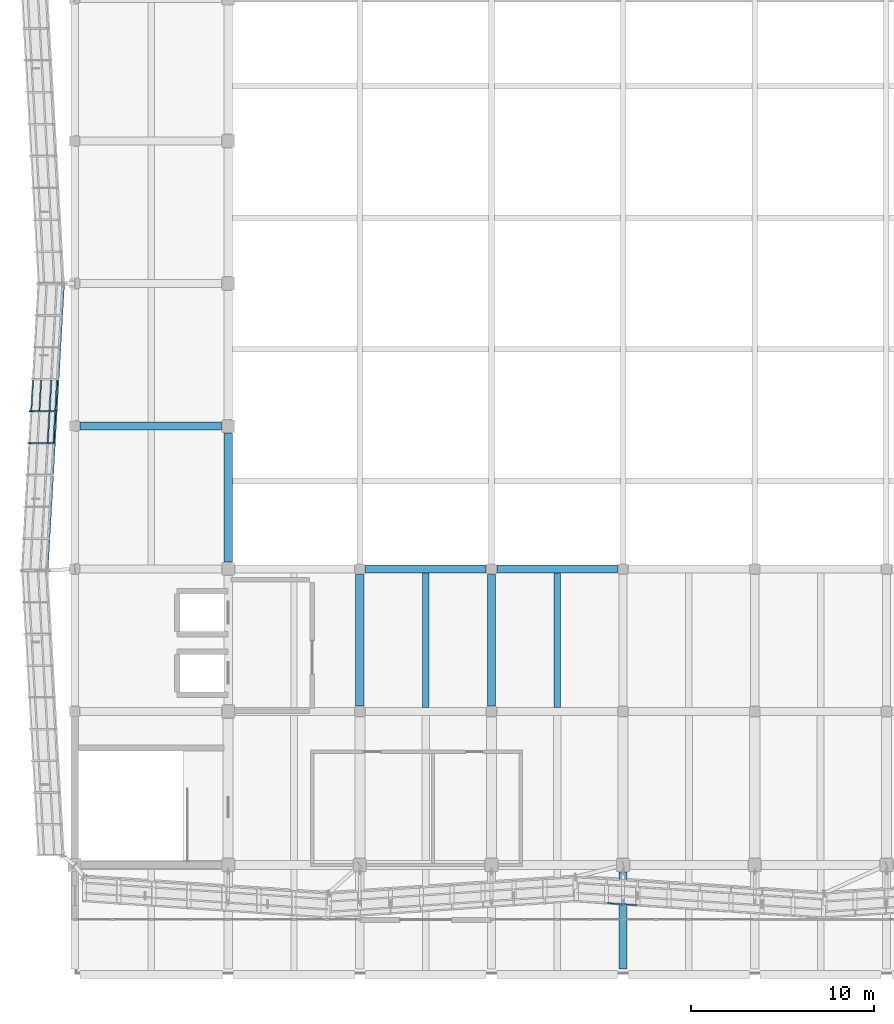
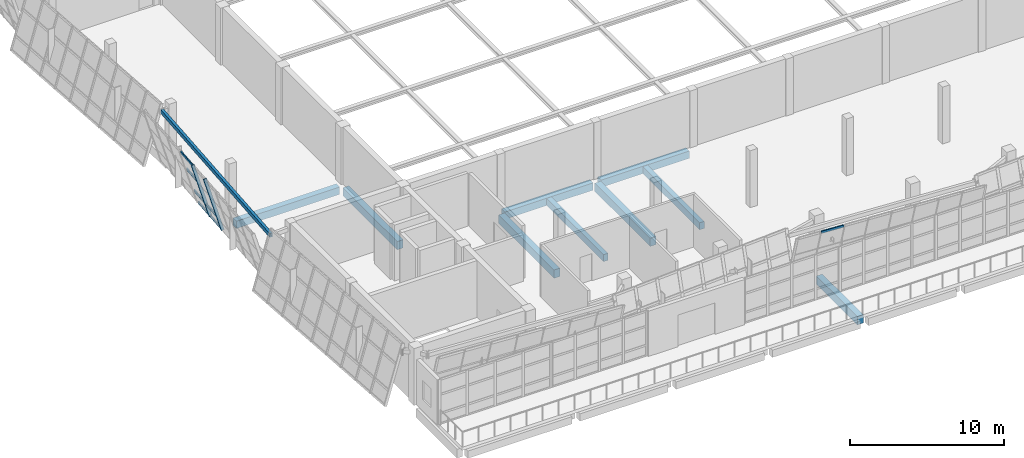
# One storey, part 8 of 67: 10 beams, 9 members, 2 elements without a shape of their own.
"""IFC4 building model written with IfcOpenShell, lengths in metres."""

from ifc_helpers import new_model, si_unit, direction, frame, origin, origin_2d, place, context, subcontext, project, spatial, rectangle, hollow_rectangle, extrude, material, material_profile, profile_set, type_object, element, aggregate, save


model = new_model("IFC4")

# Units and contexts
model_context = context("Model", 3, precision=1e-05, world=origin(), true_north=direction((0.0, 1.0)))
body_context = subcontext(model_context, "Body", "Model", "MODEL_VIEW")
ifc_project = project(units=[si_unit("LENGTHUNIT", "METRE"), si_unit("AREAUNIT", "SQUARE_METRE"), si_unit("VOLUMEUNIT", "CUBIC_METRE"), si_unit("PLANEANGLEUNIT", "RADIAN"), si_unit("MASSUNIT", "GRAM", prefix="KILO")], contexts=[model_context])

# Site, building, storey
site_placement = place(None, origin())
site = spatial("IfcSite", under=ifc_project, at=site_placement, CompositionType="ELEMENT")
building_placement = place(site_placement, origin())
building = spatial("IfcBuilding", under=site, at=building_placement, Name="Pellamere Symphony Hall", CompositionType="ELEMENT")
storey_placement = place(building_placement, frame((0.0, 0.0, 19.5)))
storey = spatial("IfcBuildingStorey", under=building, at=storey_placement, Name="L04", CompositionType="ELEMENT", Elevation=19.5)

# Curtain wall, members
ifc_material_1 = material(Name="Thermally Broken Anodised Aluminium 6063-T6 Curtain Wall", Category="aluminium")
curtain_wall_type = type_object("IfcCurtainWallType", Name="Curtain Wall CW-01 (Tilted Faceted Crystal Low-Iron Curtain Wall)", PredefinedType="NOTDEFINED", material=ifc_material_1)
curtain_wall_1_placement = place(storey_placement, origin())
curtain_wall_1 = element("IfcCurtainWall", 1, at=curtain_wall_1_placement, inside=storey, type_object=curtain_wall_type, Name="Crystal Faceted Curtain Wall CW-CR17 (L04)", PredefinedType="NOTDEFINED")
ifc_material_2 = material(Name="Anodised Architectural Aluminium 6063-T6", Category="aluminium")
ifc_material_profile_1 = material_profile(ifc_material_2, hollow_rectangle(XDim=0.074951171875, YDim=0.219970703125, WallThickness=0.0048828125, at=origin_2d()), Name="ALU-M75X220X5")
ifc_profile_set_1 = profile_set([ifc_material_profile_1], Name="Anodised Architectural Aluminium 6063-T6")
member_type_1 = type_object("IfcMemberType", Name="Curtain Wall Mullion ML-01 ALU-M75X220X5", PredefinedType="MULLION", material=ifc_profile_set_1)
member_1_placement = place(storey_placement, frame((49.35009765625, 54.822265625, 0.0), z_axis=(-0.284024567884, 0.0, 0.95881700279), x_axis=(-0.054873944304, -0.99836096977, -0.016254976991)))
member_1 = element("IfcMember", 2, at=member_1_placement, type_object=member_type_1, Name="CW1-051 crystal mullion 5", PredefinedType="MULLION", context=body_context, shape_type="SweptSolid", body=[
    extrude(hollow_rectangle(XDim=0.074951171875, YDim=0.219970703125, WallThickness=0.0048828125, at=origin_2d()), origin(), (0.0, 0.0, 1.0), 4.693359375),
])
member_2_placement = place(storey_placement, frame((49.25, 53.077880859375, 0.0), z_axis=(-0.284024567884, 0.0, 0.95881700279), x_axis=(-0.054873944304, -0.99836096977, -0.016254976991)))
member_2 = element("IfcMember", 3, at=member_2_placement, type_object=member_type_1, Name="CW1-051 crystal mullion 6", PredefinedType="MULLION", context=body_context, shape_type="SweptSolid", body=[
    extrude(hollow_rectangle(XDim=0.074951171875, YDim=0.219970703125, WallThickness=0.0048828125, at=origin_2d()), origin(), (0.0, 0.0, 1.0), 4.693359375),
])

# Curtain wall, member
curtain_wall_2_placement = place(storey_placement, origin())
curtain_wall_2 = element("IfcCurtainWall", 4, at=curtain_wall_2_placement, inside=storey, type_object=curtain_wall_type, Name="Crystal Faceted Curtain Wall CW-CR03 (L04)", PredefinedType="NOTDEFINED")
ifc_material_profile_2 = material_profile(ifc_material_2, hollow_rectangle(XDim=0.074951171875, YDim=0.179931640625, WallThickness=0.0048828125, at=origin_2d()), Name="ALU-T75X180X5")
ifc_profile_set_2 = profile_set([ifc_material_profile_2], Name="Anodised Architectural Aluminium 6063-T6")
member_type_2 = type_object("IfcMemberType", Name="Curtain Wall Transom TR-01 ALU-T75X180X5", PredefinedType="USERDEFINED", material=ifc_profile_set_2)
member_3_placement = place(storey_placement, frame((79.537353515625, 27.91259765625, 4.464111328125), z_axis=(0.997822801026, -0.065951935174, 0.0), x_axis=(0.065951935174, 0.997822801026, 0.0)))
member_3 = element("IfcMember", 5, at=member_3_placement, type_object=member_type_2, Name="CW1-003 crystal transom 2.4", ObjectType="TRANSOM", PredefinedType="USERDEFINED", context=body_context, shape_type="SweptSolid", body=[
    extrude(hollow_rectangle(XDim=0.074951171875, YDim=0.179931640625, WallThickness=0.0048828125, at=origin_2d()), origin(), (0.0, 0.0, 1.0), 1.62890625),
])
aggregate(curtain_wall_2, [member_3])

# Member
member_4_placement = place(storey_placement, frame((49.437255859375, 56.529296875, 0.035888671875), z_axis=(-0.057224396245, -0.998361341637, 0.0), x_axis=(0.998361341637, -0.057224396245, 0.0)))
member_4 = element("IfcMember", 6, at=member_4_placement, type_object=member_type_2, Name="CW1-051 crystal transom 4.1", ObjectType="TRANSOM", PredefinedType="USERDEFINED", context=body_context, shape_type="SweptSolid", body=[
    extrude(hollow_rectangle(XDim=0.074951171875, YDim=0.179931640625, WallThickness=0.0048828125, at=origin_2d()), origin(), (0.0, 0.0, 1.0), 1.67236328125),
])

member_5_placement = place(storey_placement, frame((49.1279296875, 56.529296875, 1.080078125), z_axis=(-0.057224396245, -0.998361341637, 0.0), x_axis=(0.998361341637, -0.057224396245, 0.0)))
member_5 = element("IfcMember", 7, at=member_5_placement, type_object=member_type_2, Name="CW1-051 crystal transom 4.2", ObjectType="TRANSOM", PredefinedType="USERDEFINED", context=body_context, shape_type="SweptSolid", body=[
    extrude(hollow_rectangle(XDim=0.074951171875, YDim=0.179931640625, WallThickness=0.0048828125, at=origin_2d()), origin(), (0.0, 0.0, 1.0), 1.67236328125),
])

member_6_placement = place(storey_placement, frame((48.568115234375, 56.529296875, 2.969970703125), z_axis=(-0.057224396245, -0.998361341637, 0.0), x_axis=(0.998361341637, -0.057224396245, 0.0)))
member_6 = element("IfcMember", 8, at=member_6_placement, type_object=member_type_2, Name="CW1-051 crystal transom 4.3", ObjectType="TRANSOM", PredefinedType="USERDEFINED", context=body_context, shape_type="SweptSolid", body=[
    extrude(hollow_rectangle(XDim=0.074951171875, YDim=0.179931640625, WallThickness=0.0048828125, at=origin_2d()), origin(), (0.0, 0.0, 1.0), 1.67236328125),
])

member_7_placement = place(storey_placement, frame((48.12548828125, 56.529296875, 4.464111328125), z_axis=(-0.057224396245, -0.998361341637, 0.0), x_axis=(0.998361341637, -0.057224396245, 0.0)))
member_7 = element("IfcMember", 9, at=member_7_placement, type_object=member_type_2, Name="CW1-051 crystal transom 4.4", ObjectType="TRANSOM", PredefinedType="USERDEFINED", context=body_context, shape_type="SweptSolid", body=[
    extrude(hollow_rectangle(XDim=0.074951171875, YDim=0.179931640625, WallThickness=0.0048828125, at=origin_2d()), origin(), (0.0, 0.0, 1.0), 1.67236328125),
])

member_8_placement = place(storey_placement, frame((49.337158203125, 54.78466796875, 0.035888671875), z_axis=(-0.057232737422, -0.998360863499, 0.0), x_axis=(0.998360863499, -0.057232737422, 0.0)))
member_8 = element("IfcMember", 10, at=member_8_placement, type_object=member_type_2, Name="CW1-051 crystal transom 5.1", ObjectType="TRANSOM", PredefinedType="USERDEFINED", context=body_context, shape_type="SweptSolid", body=[
    extrude(hollow_rectangle(XDim=0.074951171875, YDim=0.179931640625, WallThickness=0.0048828125, at=origin_2d()), origin(), (0.0, 0.0, 1.0), 1.672119140625),
])

member_9_placement = place(storey_placement, frame((49.02783203125, 54.78466796875, 1.080078125), z_axis=(-0.057232737422, -0.998360863499, 0.0), x_axis=(0.998360863499, -0.057232737422, 0.0)))
member_9 = element("IfcMember", 11, at=member_9_placement, type_object=member_type_2, Name="CW1-051 crystal transom 5.2", ObjectType="TRANSOM", PredefinedType="USERDEFINED", context=body_context, shape_type="SweptSolid", body=[
    extrude(hollow_rectangle(XDim=0.074951171875, YDim=0.179931640625, WallThickness=0.0048828125, at=origin_2d()), origin(), (0.0, 0.0, 1.0), 1.672119140625),
])

aggregate(curtain_wall_1, [member_1, member_2, member_4, member_5, member_6, member_7, member_8, member_9])

# Beams
ifc_material_3 = material(Name="Concrete 40 MPa", Category="concrete")
ifc_material_profile_3 = material_profile(ifc_material_3, rectangle(XDim=0.449951171875, YDim=0.64990234375, at=origin_2d()), Name="RC 450x650")
ifc_profile_set_3 = profile_set([ifc_material_profile_3], Name="Concrete 40 MPa")
beam_type_1 = type_object("IfcBeamType", Name="RC CB-08 450x650", PredefinedType="BEAM", material=ifc_profile_set_3)
beam_1_placement = place(storey_placement, frame((58.800048828125, 46.574951171875, -0.5849609375), z_axis=(0.0, 1.0, 0.0), x_axis=(-1.0, 0.0, 0.0)))
element("IfcBeam", 12, at=beam_1_placement, inside=storey, type_object=beam_type_1, Name="Girder CB-08-Y1880 (L04)", PredefinedType="BEAM", context=body_context, shape_type="SweptSolid", body=[
    extrude(rectangle(XDim=0.449951171875, YDim=0.64990234375, at=origin_2d()), origin(), (0.0, 0.0, 1.0), 7.050048828125),
])
for number, where, z_axis, x_axis, name in (
    (13, (66.0, 38.699951171875, -0.5849609375), (0.0, 1.0, 0.0), (-1.0, 0.0, 0.0), "Girder CB-08-Y1888 (L04)"),
    (14, (73.199951171875, 38.699951171875, -0.5849609375), (0.0, 1.0, 0.0), (-1.0, 0.0, 0.0), "Girder CB-08-Y1891 (L04)"),
):
    element("IfcBeam", number, at=place(storey_placement, frame(where, z_axis=z_axis, x_axis=x_axis)), inside=storey, type_object=beam_type_1, Name=name, PredefinedType="BEAM", context=body_context, shape_type="SweptSolid", body=[
        extrude(rectangle(XDim=0.449951171875, YDim=0.64990234375, at=origin_2d()), origin(), (0.0, 0.0, 1.0), 7.199951171875),
    ])
beam_2_placement = place(storey_placement, frame((80.39990234375, 24.300048828125, -0.5849609375), z_axis=(0.0, 1.0, 0.0), x_axis=(-1.0, 0.0, 0.0)))
element("IfcBeam", 15, at=beam_2_placement, inside=storey, type_object=beam_type_1, Name="Girder CB-08-Y1892 (L04)", PredefinedType="BEAM", context=body_context, shape_type="SweptSolid", body=[
    extrude(rectangle(XDim=0.449951171875, YDim=0.64990234375, at=origin_2d()), origin(), (0.0, 0.0, 1.0), 5.324951171875),
])
ifc_material_4 = material(Name="Concrete 35 MPa", Category="concrete")
ifc_material_profile_4 = material_profile(ifc_material_4, rectangle(XDim=0.35009765625, YDim=0.550048828125, at=origin_2d()), Name="RC 350x550")
ifc_profile_set_4 = profile_set([ifc_material_profile_4], Name="Concrete 35 MPa")
beam_type_2 = type_object("IfcBeamType", Name="RC CB-10 350x550", PredefinedType="BEAM", material=ifc_profile_set_4)
for number, where, z_axis, x_axis, name in (
    (16, (69.60009765625, 38.6201171875, -0.550048828125), (0.0, 1.0, 0.0), (-1.0, 0.0, 0.0), "Secondary Floor Beam CB-10-M0805 (L04)"),
    (17, (76.800048828125, 38.6201171875, -0.550048828125), (0.0, 1.0, 0.0), (-1.0, 0.0, 0.0), "Secondary Floor Beam CB-10-M0905 (L04)"),
):
    element("IfcBeam", number, at=place(storey_placement, frame(where, z_axis=z_axis, x_axis=x_axis)), inside=storey, type_object=beam_type_2, Name=name, PredefinedType="BEAM", context=body_context, shape_type="SweptSolid", body=[
        extrude(rectangle(XDim=0.35009765625, YDim=0.550048828125, at=origin_2d()), origin(), (0.0, 0.0, 1.0), 7.35986328125),
    ])
ifc_material_profile_5 = material_profile(ifc_material_3, rectangle(XDim=0.43994140625, YDim=0.580078125, at=origin_2d()), Name="RC 440x580")
ifc_profile_set_5 = profile_set([ifc_material_profile_5], Name="Concrete 40 MPa")
beam_type_3 = type_object("IfcBeamType", Name="RC CB-20 440x580", PredefinedType="BEAM", material=ifc_profile_set_5)
beam_3_placement = place(storey_placement, frame((66.300048828125, 46.199951171875, -0.550048828125), z_axis=(1.0, 0.0, 0.0), x_axis=(0.0, 1.0, 0.0)))
element("IfcBeam", 18, at=beam_3_placement, inside=storey, type_object=beam_type_3, Name="Girder CB-20-X1833 (L04)", PredefinedType="BEAM", context=body_context, shape_type="SweptSolid", body=[
    extrude(rectangle(XDim=0.43994140625, YDim=0.580078125, at=origin_2d()), origin(), (0.0, 0.0, 1.0), 6.599853515625),
])
beam_4_placement = place(storey_placement, frame((73.5, 46.199951171875, -0.550048828125), z_axis=(1.0, 0.0, 0.0), x_axis=(0.0, 1.0, 0.0)))
element("IfcBeam", 19, at=beam_4_placement, inside=storey, type_object=beam_type_3, Name="Girder CB-20-X1834 (L04)", PredefinedType="BEAM", context=body_context, shape_type="SweptSolid", body=[
    extrude(rectangle(XDim=0.43994140625, YDim=0.580078125, at=origin_2d()), origin(), (0.0, 0.0, 1.0), 6.60009765625),
])
beam_5_placement = place(storey_placement, frame((50.699951171875, 54.0, -0.550048828125), z_axis=(1.0, 0.0, 0.0), x_axis=(0.0, 1.0, 0.0)))
element("IfcBeam", 20, at=beam_5_placement, inside=storey, type_object=beam_type_3, Name="Girder CB-20-X1844 (L04)", PredefinedType="BEAM", context=body_context, shape_type="SweptSolid", body=[
    extrude(rectangle(XDim=0.43994140625, YDim=0.580078125, at=origin_2d()), origin(), (0.0, 0.0, 1.0), 7.72509765625),
])
ifc_material_5 = material(Name="Steel CSA G40.21 350W", Category="steel")
ifc_material_profile_6 = material_profile(ifc_material_5, hollow_rectangle(XDim=0.203125, YDim=0.3046875, WallThickness=0.0126953125, at=origin_2d()), Name="HSS305X203X13")
ifc_profile_set_6 = profile_set([ifc_material_profile_6], Name="Steel CSA G40.21 350W")
beam_type_4 = type_object("IfcBeamType", Name="Steel Spandrel SB-26 HSS305X203X13", PredefinedType="SPANDREL", material=ifc_profile_set_6)
beam_6_placement = place(storey_placement, frame((49.75, 61.800048828125, 3.93994140625), z_axis=(-0.057224871396, -0.998361314402, 0.0), x_axis=(0.998361314402, -0.057224871396, 0.0)))
element("IfcBeam", 21, at=beam_6_placement, inside=storey, type_object=beam_type_4, Name="Crystal Perimeter Ring Beam CW-CR17 (L04)", PredefinedType="SPANDREL", context=body_context, shape_type="SweptSolid", body=[
    extrude(hollow_rectangle(XDim=0.203125, YDim=0.3046875, WallThickness=0.0126953125, at=origin_2d()), origin(), (0.0, 0.0, 1.0), 15.725830078125),
])

save(model, "model.ifc")
